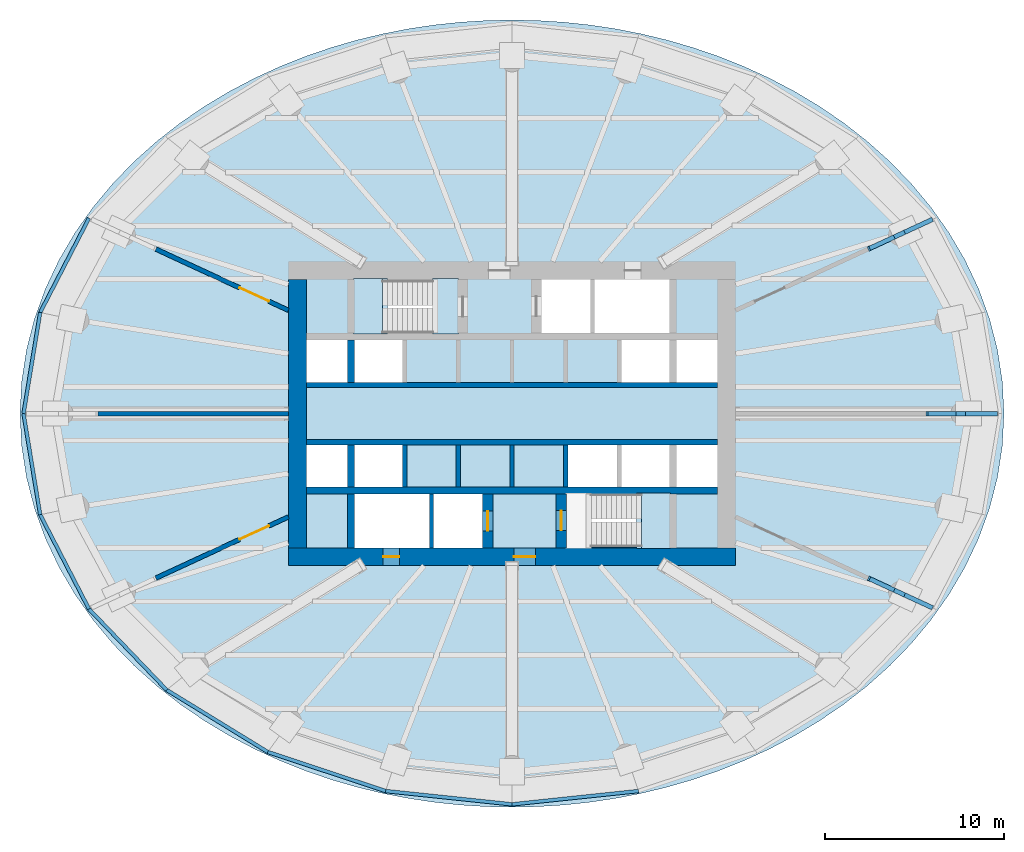
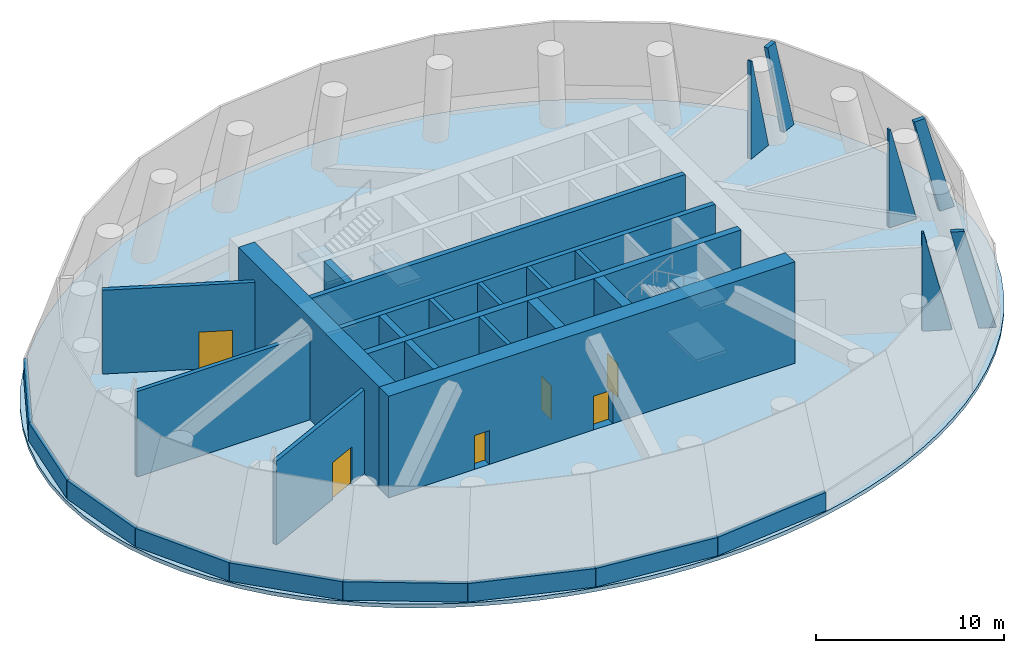
# One storey, part 4 of 7: 27 walls, 6 doors, 6 plates, 6 slabs, 6 openings, 2 elements without a shape of their own.
"""IFC4 building model written with IfcOpenShell, lengths in metres."""

from ifc_helpers import new_model, si_unit, direction, frame, frame_2d, origin, place, context, subcontext, project, spatial, polyline, rectangle, outline, extrude, material, layer, layer_set, type_object, element, fill, aggregate, save


model = new_model("IFC4")

# Units and contexts
model_context = context("Model", 3, precision=1e-05, world=origin(), true_north=direction((0.0, 1.0)))
body_context = subcontext(model_context, "Body", "Model", "MODEL_VIEW")
ifc_project = project(units=[si_unit("LENGTHUNIT", "METRE"), si_unit("AREAUNIT", "SQUARE_METRE"), si_unit("VOLUMEUNIT", "CUBIC_METRE"), si_unit("PLANEANGLEUNIT", "RADIAN"), si_unit("MASSUNIT", "GRAM", prefix="KILO")], contexts=[model_context])

# Site, building, storey
site_placement = place(None, origin())
site = spatial("IfcSite", under=ifc_project, at=site_placement, CompositionType="ELEMENT")
building_placement = place(site_placement, origin())
building = spatial("IfcBuilding", under=site, at=building_placement, Name="Hankou Lantern Tower", CompositionType="ELEMENT")
storey_placement = place(building_placement, frame((0.0, 0.0, 93.60009765625)))
storey = spatial("IfcBuildingStorey", under=building, at=storey_placement, Name="L24", CompositionType="ELEMENT", Elevation=93.60009765625)

# Plates
ifc_material_1 = material(Name="Fire-rated calcium silicate board on steel studs", Category="steel")
ifc_layer_1 = layer(ifc_material_1, 0.25)
ifc_layer_set_1 = layer_set([ifc_layer_1], Name="Fire-rated calcium silicate board on steel studs")
plate_type = type_object("IfcPlateType", Name="FC1 FIRE CLOSURE PANEL", PredefinedType="USERDEFINED", material=ifc_layer_set_1)
plate_1_placement = place(storey_placement, frame((19.9580078125, 9.08056640625, 0.0), z_axis=(0.419339029351, -0.907829707835, 5.866847e-06), x_axis=(0.907829707851, 0.419339029358, -1.36e-10)))
element("IfcPlate", 1, at=plate_1_placement, inside=storey, type_object=plate_type, Name="Fire closure panel R03 inner L24", ObjectType="FIRE CLOSURE", PredefinedType="USERDEFINED", context=body_context, shape_type="SweptSolid", body=[
    extrude(outline(polyline([(0.0, 0.0), (1.6087087525590058, 0.0), (0.1000583400479941, 6.349853515747874), (-8.626994968842253e-10, 6.3498535155157185), (0.0, 0.0)])), origin(), (0.0, 0.0, -1.0), 0.25),
])
plate_2_placement = place(storey_placement, frame((22.724609375, 10.3583984375, 0.0), z_axis=(0.419324643638, -0.907836352672, 2.094628e-06), x_axis=(0.907836352674, 0.419324643639, -1.48e-10)))
element("IfcPlate", 2, at=plate_2_placement, inside=storey, type_object=plate_type, Name="Fire closure panel R03 outer L24", ObjectType="FIRE CLOSURE", PredefinedType="USERDEFINED", context=body_context, shape_type="SweptSolid", body=[
    extrude(outline(polyline([(0.0, 0.0), (0.9188894298707321, -1.0587911840678754e-22), (-0.8005859889583021, 6.349853515520174), (-1.5084287738469382, 6.349853515278868), (0.0, 0.0)])), origin(), (0.0, 0.0, -1.0), 0.25),
])
plate_3_placement = place(storey_placement, frame((19.9580078125, -9.08056640625, 0.0), z_axis=(0.419339029351, 0.907829707835, 5.866847e-06), x_axis=(0.907829707851, -0.419339029358, -1.36e-10)))
element("IfcPlate", 3, at=plate_3_placement, inside=storey, type_object=plate_type, Name="Fire closure panel R23 inner L24", ObjectType="FIRE CLOSURE", PredefinedType="USERDEFINED", context=body_context, shape_type="SweptSolid", body=[
    extrude(outline(polyline([(0.0, 0.0), (1.6087087525590058, 0.0), (0.1000583400479941, -6.349853515747874), (-8.626994968842253e-10, -6.3498535155157185), (0.0, 0.0)])), origin(), (0.0, 0.0, -1.0), 0.25),
])
plate_4_placement = place(storey_placement, frame((22.724609375, -10.3583984375, 0.0), z_axis=(0.419324643638, 0.907836352672, 2.094628e-06), x_axis=(0.907836352674, -0.419324643639, -1.48e-10)))
element("IfcPlate", 4, at=plate_4_placement, inside=storey, type_object=plate_type, Name="Fire closure panel R23 outer L24", ObjectType="FIRE CLOSURE", PredefinedType="USERDEFINED", context=body_context, shape_type="SweptSolid", body=[
    extrude(outline(polyline([(0.0, 0.0), (0.9188894298707321, 1.0587911840678754e-22), (-0.8005859889583021, -6.349853515520174), (-1.5084287738469382, -6.349853515278868), (0.0, 0.0)])), origin(), (0.0, 0.0, -1.0), 0.25),
])
plate_5_placement = place(storey_placement, frame((23.140869140625, 0.125, 0.0), z_axis=(0.0, 1.0, 0.0), x_axis=(1.0, 0.0, 0.0)))
element("IfcPlate", 5, at=plate_5_placement, inside=storey, type_object=plate_type, Name="Fire closure panel R01 inner L24", ObjectType="FIRE CLOSURE", PredefinedType="USERDEFINED", context=body_context, shape_type="SweptSolid", body=[
    extrude(outline(polyline([(0.0, 0.0), (1.6875, 0.0), (0.10009765625, -6.349853515625), (0.0, -6.349853515625), (0.0, 0.0)])), origin(), (0.0, 0.0, -1.0), 0.25),
])
plate_6_placement = place(storey_placement, frame((26.271484375, 0.125, 0.0), z_axis=(0.0, 1.0, 0.0), x_axis=(1.0, 0.0, 0.0)))
element("IfcPlate", 6, at=plate_6_placement, inside=storey, type_object=plate_type, Name="Fire closure panel R01 outer L24", ObjectType="FIRE CLOSURE", PredefinedType="USERDEFINED", context=body_context, shape_type="SweptSolid", body=[
    extrude(outline(polyline([(0.0, 0.0), (0.87841796875, 0.0), (-0.92138671875, -6.349853515625), (-1.58740234375, -6.349853515625), (0.0, 0.0)])), origin(), (0.0, 0.0, -1.0), 0.25),
])

# Slab
ifc_material_2 = material(Name="Concrete C50", Category="concrete")
ifc_layer_2 = layer(ifc_material_2, 0.25)
ifc_layer_set_2 = layer_set([ifc_layer_2], Name="Concrete C50")
slab_type_1 = type_object("IfcSlabType", Name="S2 HEAVY FLOOR SLAB 250", PredefinedType="FLOOR", material=ifc_layer_set_2)
slab_1_placement = place(storey_placement, frame((0.0, 0.0, -0.25)))
element("IfcSlab", 7, at=slab_1_placement, inside=storey, type_object=slab_type_1, Name="Floor slab L24", PredefinedType="FLOOR", context=body_context, shape_type="SweptSolid", body=[
    extrude(outline(polyline([(27.5, 0.0), (27.408203125, 1.79638671875), (27.135009765625, 3.572509765625), (26.6875, 5.308349609375), (26.076171875, 6.987060546875), (25.3154296875, 8.593505859375), (24.420654296875, 10.115478515625), (23.40966796875, 11.54443359375), (22.29931640625, 12.87451171875), (21.1064453125, 14.102783203125), (19.846435546875, 15.228759765625), (18.533447265625, 16.25341796875), (17.17919921875, 17.17919921875), (15.794189453125, 18.009765625), (14.38671875, 18.749267578125), (12.964111328125, 19.402099609375), (11.53125, 19.972412109375), (10.09228515625, 20.46484375), (8.650146484375, 20.88330078125), (7.20703125, 21.23095703125), (5.763916015625, 21.51123046875), (4.32177734375, 21.7265625), (2.88037109375, 21.87890625), (1.43994140625, 21.9697265625), (0.0, 22.0), (-1.43994140625, 21.9697265625), (-2.88037109375, 21.87890625), (-4.32177734375, 21.7265625), (-5.763916015625, 21.51123046875), (-7.20703125, 21.23095703125), (-8.650146484375, 20.88330078125), (-10.09228515625, 20.46484375), (-11.53125, 19.972412109375), (-12.964111328125, 19.402099609375), (-14.38671875, 18.749267578125), (-15.794189453125, 18.009765625), (-17.17919921875, 17.17919921875), (-18.533447265625, 16.25341796875), (-19.846435546875, 15.228759765625), (-21.1064453125, 14.102783203125), (-22.29931640625, 12.87451171875), (-23.40966796875, 11.54443359375), (-24.420654296875, 10.115478515625), (-25.3154296875, 8.593505859375), (-26.076171875, 6.987060546875), (-26.6875, 5.308349609375), (-27.135009765625, 3.572509765625), (-27.408203125, 1.79638671875), (-27.5, 0.0), (-27.408203125, -1.79638671875), (-27.135009765625, -3.572509765625), (-26.6875, -5.308349609375), (-26.076171875, -6.987060546875), (-25.3154296875, -8.593505859375), (-24.420654296875, -10.115478515625), (-23.40966796875, -11.54443359375), (-22.29931640625, -12.87451171875), (-21.1064453125, -14.102783203125), (-19.846435546875, -15.228759765625), (-18.533447265625, -16.25341796875), (-17.17919921875, -17.17919921875), (-15.794189453125, -18.009765625), (-14.38671875, -18.749267578125), (-12.964111328125, -19.402099609375), (-11.53125, -19.972412109375), (-10.09228515625, -20.46484375), (-8.650146484375, -20.88330078125), (-7.20703125, -21.23095703125), (-5.763916015625, -21.51123046875), (-4.32177734375, -21.7265625), (-2.88037109375, -21.87890625), (-1.43994140625, -21.9697265625), (0.0, -22.0), (1.43994140625, -21.9697265625), (2.88037109375, -21.87890625), (4.32177734375, -21.7265625), (5.763916015625, -21.51123046875), (7.20703125, -21.23095703125), (8.650146484375, -20.88330078125), (10.09228515625, -20.46484375), (11.53125, -19.972412109375), (12.964111328125, -19.402099609375), (14.38671875, -18.749267578125), (15.794189453125, -18.009765625), (17.17919921875, -17.17919921875), (18.533447265625, -16.25341796875), (19.846435546875, -15.228759765625), (21.1064453125, -14.102783203125), (22.29931640625, -12.87451171875), (23.40966796875, -11.54443359375), (24.420654296875, -10.115478515625), (25.3154296875, -8.593505859375), (26.076171875, -6.987060546875), (26.6875, -5.308349609375), (27.135009765625, -3.572509765625), (27.408203125, -1.79638671875), (27.5, 0.0)]), holes=[polyline([(-11.5, 4.10009765625), (-9.199951171875, 4.10009765625), (-9.199951171875, 1.75), (-11.5, 1.75), (-11.5, 4.10009765625)]), polyline([(-8.800048828125, 4.10009765625), (-6.125, 4.10009765625), (-6.125, 1.75), (-8.800048828125, 1.75), (-8.800048828125, 4.10009765625)]), polyline([(6.125, 4.10009765625), (8.800048828125, 4.10009765625), (8.800048828125, 1.75), (6.125, 1.75), (6.125, 4.10009765625)]), polyline([(9.199951171875, 4.10009765625), (11.5, 4.10009765625), (11.5, 1.75), (9.199951171875, 1.75), (9.199951171875, 4.10009765625)]), polyline([(-11.5, -1.75), (-9.199951171875, -1.75), (-9.199951171875, -4.10009765625), (-11.5, -4.10009765625), (-11.5, -1.75)]), polyline([(-8.800048828125, -1.75), (-6.125, -1.75), (-6.125, -4.10009765625), (-8.800048828125, -4.10009765625), (-8.800048828125, -1.75)]), polyline([(3.125, -1.75), (5.875, -1.75), (5.875, -4.10009765625), (3.125, -4.10009765625), (3.125, -1.75)]), polyline([(6.125, -1.75), (8.800048828125, -1.75), (8.800048828125, -4.10009765625), (6.125, -4.10009765625), (6.125, -1.75)]), polyline([(9.199951171875, -1.75), (11.5, -1.75), (11.5, -4.10009765625), (9.199951171875, -4.10009765625), (9.199951171875, -1.75)]), polyline([(1.64990234375, 7.5), (4.375, 7.5), (4.375, 4.5), (1.64990234375, 4.5), (1.64990234375, 7.5)]), polyline([(-4.375, -4.5), (-1.64990234375, -4.5), (-1.64990234375, -7.5), (-4.375, -7.5), (-4.375, -4.5)]), polyline([(-8.699951171875, 7.449951171875), (-4.449951171875, 7.449951171875), (-4.449951171875, 4.5), (-8.699951171875, 4.5), (-8.699951171875, 7.449951171875)]), polyline([(4.449951171875, -4.5), (8.699951171875, -4.5), (8.699951171875, -7.449951171875), (4.449951171875, -7.449951171875), (4.449951171875, -4.5)]), polyline([(4.625, 7.5), (8.800048828125, 7.5), (8.800048828125, 4.5), (4.625, 4.5), (4.625, 7.5)]), polyline([(-8.800048828125, -4.5), (-4.625, -4.5), (-4.625, -7.5), (-8.800048828125, -7.5), (-8.800048828125, -4.5)])]), origin(), (0.0, 0.0, 1.0), 0.25),
])

# Stair, slabs
ifc_material_3 = material(Name="Concrete C40", Category="concrete")
stair_type = type_object("IfcStairType", Name="ST66 CORE STAIR 6600 RISE", PredefinedType="HALF_TURN_STAIR", material=ifc_material_3)
stair_1_placement = place(storey_placement, origin())
stair_1 = element("IfcStair", 8, at=stair_1_placement, inside=storey, type_object=stair_type, Name="Stair STA L24", PredefinedType="HALF_TURN_STAIR")
ifc_material_4 = material(Name="Concrete C40", Category="concrete")
ifc_layer_3 = layer(ifc_material_4, 0.199951171875)
ifc_layer_set_3 = layer_set([ifc_layer_3], Name="Concrete C40")
slab_type_2 = type_object("IfcSlabType", Name="SL1 STAIR LANDING 200", PredefinedType="LANDING", material=ifc_layer_set_3)
slab_2_placement = place(storey_placement, frame((0.0, 0.0, 1.371337890625)))
slab_2 = element("IfcSlab", 9, at=slab_2_placement, type_object=slab_type_2, Name="STA landing 1", PredefinedType="LANDING", context=body_context, shape_type="SweptSolid", body=[
    extrude(outline(polyline([(-8.85009765625, 4.449951171875), (-6.949951171875, 4.449951171875), (-6.949951171875, 7.550048828125), (-8.85009765625, 7.550048828125), (-8.85009765625, 4.449951171875)])), origin(), (0.0, 0.0, 1.0), 0.199951171875),
])
slab_3_placement = place(storey_placement, frame((0.0, 0.0, 2.94287109375)))
slab_3 = element("IfcSlab", 10, at=slab_3_placement, type_object=slab_type_2, Name="STA landing 2", PredefinedType="LANDING", context=body_context, shape_type="SweptSolid", body=[
    extrude(outline(polyline([(-4.449951171875, 4.449951171875), (-3.0, 4.449951171875), (-3.0, 7.550048828125), (-4.449951171875, 7.550048828125), (-4.449951171875, 4.449951171875)])), origin(), (0.0, 0.0, 1.0), 0.199951171875),
])
slab_4_placement = place(storey_placement, frame((0.0, 0.0, 4.67138671875)))
slab_4 = element("IfcSlab", 11, at=slab_4_placement, type_object=slab_type_2, Name="STA landing 3", PredefinedType="LANDING", context=body_context, shape_type="SweptSolid", body=[
    extrude(outline(polyline([(-8.85009765625, 4.449951171875), (-7.22998046875, 4.449951171875), (-7.22998046875, 7.550048828125), (-8.85009765625, 7.550048828125), (-8.85009765625, 4.449951171875)])), origin(), (0.0, 0.0, 1.0), 0.199951171875),
])
aggregate(stair_1, [slab_2, slab_3, slab_4])

stair_2_placement = place(storey_placement, origin())
stair_2 = element("IfcStair", 12, at=stair_2_placement, inside=storey, type_object=stair_type, Name="Stair STB L24", PredefinedType="HALF_TURN_STAIR")
slab_5_placement = place(storey_placement, frame((0.0, 0.0, 1.371337890625)))
slab_5 = element("IfcSlab", 13, at=slab_5_placement, type_object=slab_type_2, Name="STB landing 1", PredefinedType="LANDING", context=body_context, shape_type="SweptSolid", body=[
    extrude(outline(polyline([(8.85009765625, -4.449951171875), (6.949951171875, -4.449951171875), (6.949951171875, -7.550048828125), (8.85009765625, -7.550048828125), (8.85009765625, -4.449951171875)])), origin(), (0.0, 0.0, 1.0), 0.199951171875),
])
slab_6_placement = place(storey_placement, frame((0.0, 0.0, 4.67138671875)))
slab_6 = element("IfcSlab", 14, at=slab_6_placement, type_object=slab_type_2, Name="STB landing 3", PredefinedType="LANDING", context=body_context, shape_type="SweptSolid", body=[
    extrude(outline(polyline([(8.85009765625, -4.449951171875), (7.22998046875, -4.449951171875), (7.22998046875, -7.550048828125), (8.85009765625, -7.550048828125), (8.85009765625, -4.449951171875)])), origin(), (0.0, 0.0, 1.0), 0.199951171875),
])
aggregate(stair_2, [slab_5, slab_6])

# Wall, openings, doors
ifc_material_5 = material(Name="Concrete C60", Category="concrete")
ifc_layer_4 = layer(ifc_material_5, 1.0)
ifc_layer_set_4 = layer_set([ifc_layer_4], Name="Concrete C60")
wall_type_1 = type_object("IfcWallType", Name="CW1 CORE WALL 1000", PredefinedType="SHEAR", material=ifc_layer_set_4)
wall_1_placement = place(storey_placement, frame((12.5, -8.0, 0.0), z_axis=(0.0, 0.0, 1.0), x_axis=(-1.0, 0.0, 0.0)))
wall_1 = element("IfcWall", 15, at=wall_1_placement, inside=storey, type_object=wall_type_1, Name="Core wall south L24", PredefinedType="SHEAR", context=body_context, shape_type="SweptSolid", body=[
    extrude(rectangle(XDim=25.0, YDim=1.0, at=frame_2d((12.5, 0.0))), origin(), (0.0, 0.0, 1.0), 6.599853515625),
])
opening_1_placement = place(wall_1_placement, frame((11.199951171875, 0.0, 0.0)))
opening_1 = element("IfcOpeningElement", 16, at=opening_1_placement, cuts=wall_1, Name="Opening D5", PredefinedType="OPENING", context=body_context, shape_type="SweptSolid", body=[
    extrude(rectangle(XDim=1.199951171875, YDim=2.199951171875, at=frame_2d((0.60009765625, 1.10009765625))), frame((0.0, 0.510009765625, 0.0), z_axis=(0.0, -1.0, 0.0), x_axis=(1.0, 0.0, 0.0)), (0.0, 0.0, 1.0), 1.02001953125),
])
opening_2_placement = place(wall_1_placement, frame((18.800048828125, 0.0, 0.0)))
opening_2 = element("IfcOpeningElement", 17, at=opening_2_placement, cuts=wall_1, Name="Opening D7", PredefinedType="OPENING", context=body_context, shape_type="SweptSolid", body=[
    extrude(rectangle(XDim=0.89990234375, YDim=2.199951171875, at=frame_2d((0.449951171875, 1.10009765625))), frame((0.0, 0.510009765625, 0.0), z_axis=(0.0, -1.0, 0.0), x_axis=(1.0, 0.0, 0.0)), (0.0, 0.0, 1.0), 1.02001953125),
])
ifc_material_6 = material(Name="Steel door leaf", Category="steel")
door_type_1 = type_object("IfcDoorType", Name="D5 STAIR LOBBY DOOR 1200X2200", OperationType="SINGLE_SWING_LEFT", PredefinedType="DOOR", material=ifc_material_6)
door_1_placement = place(opening_1_placement, origin())
door_1 = element("IfcDoor", 18, at=door_1_placement, inside=storey, type_object=door_type_1, Name="Stair B lobby door", OperationType="SINGLE_SWING_LEFT", OverallHeight=2.199951171875, OverallWidth=1.199951171875, PredefinedType="DOOR", context=body_context, shape_type="SweptSolid", body=[
    extrude(rectangle(XDim=1.199951171875, YDim=2.199951171875, at=frame_2d((0.60009765625, 1.10009765625))), frame((0.0, 0.02490234375, 0.0), z_axis=(0.0, -1.0, 0.0), x_axis=(1.0, 0.0, 0.0)), (0.0, 0.0, 1.0), 0.050048828125),
])
fill(opening_1, door_1)
ifc_material_7 = material(Name="Steel door leaf", Category="steel")
door_type_2 = type_object("IfcDoorType", Name="D7 RISER DOOR 900X2200", OperationType="SINGLE_SWING_LEFT", PredefinedType="DOOR", material=ifc_material_7)
door_2_placement = place(opening_2_placement, origin())
door_2 = element("IfcDoor", 19, at=door_2_placement, inside=storey, type_object=door_type_2, Name="Riser S1 door", OperationType="SINGLE_SWING_RIGHT", OverallHeight=2.199951171875, OverallWidth=0.89990234375, PredefinedType="DOOR", context=body_context, shape_type="SweptSolid", body=[
    extrude(rectangle(XDim=0.89990234375, YDim=2.199951171875, at=frame_2d((0.449951171875, 1.10009765625))), frame((0.0, 0.02490234375, 0.0), z_axis=(0.0, -1.0, 0.0), x_axis=(1.0, 0.0, 0.0)), (0.0, 0.0, 1.0), 0.050048828125),
])
fill(opening_2, door_2)

# Walls
wall_2_placement = place(storey_placement, frame((-12.0, 7.5, 0.0), z_axis=(0.0, 0.0, 1.0), x_axis=(0.0, -1.0, 0.0)))
element("IfcWall", 20, at=wall_2_placement, inside=storey, type_object=wall_type_1, Name="Core wall west L24", PredefinedType="SHEAR", context=body_context, shape_type="SweptSolid", body=[
    extrude(rectangle(XDim=15.0, YDim=1.0, at=frame_2d((7.5, 0.0))), origin(), (0.0, 0.0, 1.0), 6.599853515625),
])
ifc_material_8 = material(Name="Concrete C60", Category="concrete")
ifc_layer_5 = layer(ifc_material_8, 0.39990234375)
ifc_layer_set_5 = layer_set([ifc_layer_5], Name="Concrete C60")
wall_type_2 = type_object("IfcWallType", Name="CW4 CORE CROSS WALL 400", PredefinedType="SHEAR", material=ifc_layer_set_5)
wall_3_placement = place(storey_placement, frame((-11.5, -4.300048828125, 0.0), z_axis=(0.0, 0.0, 1.0), x_axis=(1.0, 0.0, 0.0)))
element("IfcWall", 21, at=wall_3_placement, inside=storey, type_object=wall_type_2, Name="Core band wall south L24", PredefinedType="SHEAR", context=body_context, shape_type="SweptSolid", body=[
    extrude(rectangle(XDim=23.0, YDim=0.39990234375, at=frame_2d((11.5, 0.0))), origin(), (0.0, 0.0, 1.0), 6.599853515625),
])
for number, where, z_axis, x_axis, name in (
    (22, (-9.0, 1.75, 0.0), (0.0, 0.0, 1.0), (0.0, 1.0, 0.0), "Core strip wall L24"),
    (23, (-9.0, -4.10009765625, 0.0), (0.0, 0.0, 1.0), (0.0, 1.0, 0.0), "Core strip wall L24"),
):
    element("IfcWall", number, at=place(storey_placement, frame(where, z_axis=z_axis, x_axis=x_axis)), inside=storey, type_object=wall_type_2, Name=name, PredefinedType="SHEAR", context=body_context, shape_type="SweptSolid", body=[
        extrude(rectangle(XDim=2.35009765625, YDim=0.39990234375, at=frame_2d((1.175048828125, 0.0))), origin(), (0.0, 0.0, 1.0), 6.599853515625),
    ])
wall_4_placement = place(storey_placement, frame((-9.0, -7.5, 0.0), z_axis=(0.0, 0.0, 1.0), x_axis=(0.0, 1.0, 0.0)))
element("IfcWall", 24, at=wall_4_placement, inside=storey, type_object=wall_type_2, Name="Core strip wall L24", PredefinedType="SHEAR", context=body_context, shape_type="SweptSolid", body=[
    extrude(rectangle(XDim=3.0, YDim=0.39990234375, at=frame_2d((1.5, 0.0))), origin(), (0.0, 0.0, 1.0), 6.599853515625),
])
ifc_material_9 = material(Name="Concrete C60", Category="concrete")
ifc_layer_6 = layer(ifc_material_9, 0.300048828125)
ifc_layer_set_6 = layer_set([ifc_layer_6], Name="Concrete C60")
wall_type_3 = type_object("IfcWallType", Name="CW5 LIFT LOBBY WALL 300", PredefinedType="SHEAR", material=ifc_layer_set_6)
for number, where, z_axis, x_axis, name in (
    (25, (-11.5, 1.60009765625, 0.0), (0.0, 0.0, 1.0), (1.0, 0.0, 0.0), "Lift lobby wall north L24"),
    (26, (-11.5, -1.60009765625, 0.0), (0.0, 0.0, 1.0), (1.0, 0.0, 0.0), "Lift lobby wall south L24"),
):
    element("IfcWall", number, at=place(storey_placement, frame(where, z_axis=z_axis, x_axis=x_axis)), inside=storey, type_object=wall_type_3, Name=name, PredefinedType="SHEAR", context=body_context, shape_type="SweptSolid", body=[
        extrude(rectangle(XDim=23.0, YDim=0.300048828125, at=frame_2d((11.5, 0.0))), origin(), (0.0, 0.0, 1.0), 6.599853515625),
    ])

# Wall, opening, door
ifc_material_10 = material(Name="Concrete C60", Category="concrete")
ifc_layer_7 = layer(ifc_material_10, 0.60009765625)
ifc_layer_set_7 = layer_set([ifc_layer_7], Name="Concrete C60")
wall_type_4 = type_object("IfcWallType", Name="CW6 STAIR AND SHAFT WALL 600", PredefinedType="SHEAR", material=ifc_layer_set_7)
wall_5_placement = place(storey_placement, frame((2.75, -7.5, 0.0), z_axis=(0.0, 0.0, 1.0), x_axis=(0.0, 1.0, 0.0)))
wall_5 = element("IfcWall", 27, at=wall_5_placement, inside=storey, type_object=wall_type_4, Name="Stair wall L24", PredefinedType="SHEAR", context=body_context, shape_type="SweptSolid", body=[
    extrude(rectangle(XDim=3.0, YDim=0.60009765625, at=frame_2d((1.5, 0.0))), origin(), (0.0, 0.0, 1.0), 6.599853515625),
])
opening_3_placement = place(wall_5_placement, frame((0.97509765625, 0.0, 0.0)))
opening_3 = element("IfcOpeningElement", 28, at=opening_3_placement, cuts=wall_5, Name="Opening D4", PredefinedType="OPENING", context=body_context, shape_type="SweptSolid", body=[
    extrude(rectangle(XDim=1.10009765625, YDim=2.199951171875, at=frame_2d((0.550048828125, 1.10009765625))), frame((0.0, 0.31005859375, 0.0), z_axis=(0.0, -1.0, 0.0), x_axis=(1.0, 0.0, 0.0)), (0.0, 0.0, 1.0), 0.6201171875),
])
ifc_material_11 = material(Name="Steel door leaf", Category="steel")
door_type_3 = type_object("IfcDoorType", Name="D4 STAIR DOOR 1100X2200", OperationType="SINGLE_SWING_LEFT", PredefinedType="DOOR", material=ifc_material_11)
door_3_placement = place(opening_3_placement, origin())
door_3 = element("IfcDoor", 29, at=door_3_placement, inside=storey, type_object=door_type_3, Name="Stair B door", OperationType="SINGLE_SWING_RIGHT", OverallHeight=2.199951171875, OverallWidth=1.10009765625, PredefinedType="DOOR", context=body_context, shape_type="SweptSolid", body=[
    extrude(rectangle(XDim=1.10009765625, YDim=2.199951171875, at=frame_2d((0.550048828125, 1.10009765625))), frame((0.0, 0.02490234375, 0.0), z_axis=(0.0, -1.0, 0.0), x_axis=(1.0, 0.0, 0.0)), (0.0, 0.0, 1.0), 0.050048828125),
])
fill(opening_3, door_3)

wall_6_placement = place(storey_placement, frame((-1.35009765625, -7.5, 0.0), z_axis=(0.0, 0.0, 1.0), x_axis=(0.0, 1.0, 0.0)))
wall_6 = element("IfcWall", 30, at=wall_6_placement, inside=storey, type_object=wall_type_4, Name="Firefighting lift shaft wall L24", PredefinedType="SHEAR", context=body_context, shape_type="SweptSolid", body=[
    extrude(rectangle(XDim=3.0, YDim=0.60009765625, at=frame_2d((1.5, 0.0))), origin(), (0.0, 0.0, 1.0), 6.599853515625),
])
opening_4_placement = place(wall_6_placement, frame((0.949951171875, 0.0, 0.0)))
opening_4 = element("IfcOpeningElement", 31, at=opening_4_placement, cuts=wall_6, Name="Opening LD2", PredefinedType="OPENING", context=body_context, shape_type="SweptSolid", body=[
    extrude(rectangle(XDim=1.10009765625, YDim=2.199951171875, at=frame_2d((0.550048828125, 1.10009765625))), frame((0.0, 0.31005859375, 0.0), z_axis=(0.0, -1.0, 0.0), x_axis=(1.0, 0.0, 0.0)), (0.0, 0.0, 1.0), 0.6201171875),
])
ifc_material_12 = material(Name="Steel door leaf", Category="steel")
door_type_4 = type_object("IfcDoorType", Name="LD2 FIREFIGHTING LIFT LANDING DOOR 1100X2200", OperationType="DOUBLE_DOOR_SLIDING", PredefinedType="DOOR", material=ifc_material_12)
door_4_placement = place(opening_4_placement, origin())
door_4 = element("IfcDoor", 32, at=door_4_placement, inside=storey, type_object=door_type_4, Name="Firefighting lift FL2 landing door", OperationType="DOUBLE_DOOR_SLIDING", OverallHeight=2.199951171875, OverallWidth=1.10009765625, PredefinedType="DOOR", context=body_context, shape_type="SweptSolid", body=[
    extrude(rectangle(XDim=1.10009765625, YDim=2.199951171875, at=frame_2d((0.550048828125, 1.10009765625))), frame((0.0, 0.02490234375, 0.0), z_axis=(0.0, -1.0, 0.0), x_axis=(1.0, 0.0, 0.0)), (0.0, 0.0, 1.0), 0.050048828125),
])
fill(opening_4, door_4)

# Walls
ifc_material_13 = material(Name="Precast concrete C40 spandrel", Category="concrete")
ifc_layer_8 = layer(ifc_material_13, 0.199951171875)
ifc_layer_set_8 = layer_set([ifc_layer_8], Name="Precast concrete C40 spandrel")
wall_type_5 = type_object("IfcWallType", Name="EW3 SPANDREL WALL 200", PredefinedType="PARAPET", material=ifc_layer_set_8)
wall_7_placement = place(storey_placement, frame((-23.642578125, 10.919921875, 0.0), z_axis=(0.0, 0.0, 1.0), x_axis=(-0.459796869206, -0.88802412077, 0.0)))
element("IfcWall", 33, at=wall_7_placement, inside=storey, type_object=wall_type_5, Name="Spandrel wall R11 L24", PredefinedType="PARAPET", context=body_context, shape_type="SweptSolid", body=[
    extrude(rectangle(XDim=5.931640625, YDim=0.199951171875, at=frame_2d((2.9658203125, 0.0))), origin(), (0.0, 0.0, 1.0), 1.199951171875),
])
for number, where, z_axis, x_axis, name in (
    (34, (-26.369873046875, 5.652587890625, 0.0), (0.0, 0.0, 1.0), (-0.162373720697, -0.9867293321, 0.0), "Spandrel wall R12 L24"),
    (35, (-27.300048828125, 0.0, 0.0), (0.0, 0.0, 1.0), (0.162373720697, -0.9867293321, 0.0), "Spandrel wall R13 L24"),
):
    element("IfcWall", number, at=place(storey_placement, frame(where, z_axis=z_axis, x_axis=x_axis)), inside=storey, type_object=wall_type_5, Name=name, PredefinedType="PARAPET", context=body_context, shape_type="SweptSolid", body=[
        extrude(rectangle(XDim=5.728515625, YDim=0.199951171875, at=frame_2d((2.8642578125, 0.0))), origin(), (0.0, 0.0, 1.0), 1.199951171875),
    ])
wall_8_placement = place(storey_placement, frame((-26.369873046875, -5.652587890625, 0.0), z_axis=(0.0, 0.0, 1.0), x_axis=(0.459796869206, -0.88802412077, 0.0)))
element("IfcWall", 36, at=wall_8_placement, inside=storey, type_object=wall_type_5, Name="Spandrel wall R14 L24", PredefinedType="PARAPET", context=body_context, shape_type="SweptSolid", body=[
    extrude(rectangle(XDim=5.931640625, YDim=0.199951171875, at=frame_2d((2.9658203125, 0.0))), origin(), (0.0, 0.0, 1.0), 1.199951171875),
])
wall_9_placement = place(storey_placement, frame((-23.642578125, -10.919921875, 0.0), z_axis=(0.0, 0.0, 1.0), x_axis=(0.692229324032, -0.721677603193, 0.0)))
element("IfcWall", 37, at=wall_9_placement, inside=storey, type_object=wall_type_5, Name="Spandrel wall R15 L24", PredefinedType="PARAPET", context=body_context, shape_type="SweptSolid", body=[
    extrude(rectangle(XDim=6.267578125, YDim=0.199951171875, at=frame_2d((3.1337890625, 0.0))), origin(), (0.0, 0.0, 1.0), 1.199951171875),
])
wall_10_placement = place(storey_placement, frame((-19.303955078125, -15.443115234375, 0.0), z_axis=(0.0, 0.0, 1.0), x_axis=(0.852227644775, -0.523171139763, 0.0)))
element("IfcWall", 38, at=wall_10_placement, inside=storey, type_object=wall_type_5, Name="Spandrel wall R16 L24", PredefinedType="PARAPET", context=body_context, shape_type="SweptSolid", body=[
    extrude(rectangle(XDim=6.634521484375, YDim=0.199951171875, at=frame_2d((3.3173828125, 0.0))), origin(), (0.0, 0.0, 1.0), 1.199951171875),
])
wall_11_placement = place(storey_placement, frame((-13.64990234375, -18.9140625, 0.0), z_axis=(0.0, 0.0, 1.0), x_axis=(0.94924845877, -0.314527206332, 0.0)))
element("IfcWall", 39, at=wall_11_placement, inside=storey, type_object=wall_type_5, Name="Spandrel wall R17 L24", PredefinedType="PARAPET", context=body_context, shape_type="SweptSolid", body=[
    extrude(rectangle(XDim=6.936279296875, YDim=0.199951171875, at=frame_2d((3.46826171875, 0.0))), origin(), (0.0, 0.0, 1.0), 1.199951171875),
])
for number, where, z_axis, x_axis, name in (
    (40, (-7.065673828125, -21.095703125, 0.0), (0.0, 0.0, 1.0), (0.99449622286, -0.104772433002, 0.0), "Spandrel wall R18 L24"),
    (41, (0.0, -21.840087890625, 0.0), (0.0, 0.0, 1.0), (0.99449622286, 0.104772433002, 0.0), "Spandrel wall R19 L24"),
):
    element("IfcWall", number, at=place(storey_placement, frame(where, z_axis=z_axis, x_axis=x_axis)), inside=storey, type_object=wall_type_5, Name=name, PredefinedType="PARAPET", context=body_context, shape_type="SweptSolid", body=[
        extrude(rectangle(XDim=7.104736328125, YDim=0.199951171875, at=frame_2d((3.55224609375, 0.0))), origin(), (0.0, 0.0, 1.0), 1.199951171875),
    ])

# Wall, opening, door
ifc_material_14 = material(Name="Masonry dense concrete block", Category="masonry")
ifc_layer_9 = layer(ifc_material_14, 0.25)
ifc_layer_set_9 = layer_set([ifc_layer_9], Name="Masonry dense concrete block")
wall_type_6 = type_object("IfcWallType", Name="IW5 PLANT ROOM FIRE WALL 250", PredefinedType="PARTITIONING", material=ifc_layer_set_9)
wall_12_placement = place(storey_placement, frame((-12.5, 5.7734375, 0.0), z_axis=(0.0, 0.0, 1.0), x_axis=(-0.907832327602, 0.419333357796, 0.0)))
wall_12 = element("IfcWall", 42, at=wall_12_placement, inside=storey, type_object=wall_type_6, Name="Plant room fire wall R11", PredefinedType="PARTITIONING", context=body_context, shape_type="SweptSolid", body=[
    extrude(rectangle(XDim=8.157470703125, YDim=0.25, at=frame_2d((4.07861328125, 0.0))), origin(), (0.0, 0.0, 1.0), 5.449951171875),
])
opening_5_placement = place(wall_12_placement, frame((1.199951171875, 0.0, 0.0)))
opening_5 = element("IfcOpeningElement", 43, at=opening_5_placement, cuts=wall_12, Name="Opening D9", PredefinedType="OPENING", context=body_context, shape_type="SweptSolid", body=[
    extrude(rectangle(XDim=1.800048828125, YDim=2.39990234375, at=frame_2d((0.89990234375, 1.199951171875))), frame((0.0, 0.135009765625, 0.0), z_axis=(0.0, -1.0, 0.0), x_axis=(1.0, 0.0, 0.0)), (0.0, 0.0, 1.0), 0.27001953125),
])
ifc_material_15 = material(Name="Steel door leaf", Category="steel")
door_type_5 = type_object("IfcDoorType", Name="D9 PLANT ROOM DOOR 1800X2400", OperationType="DOUBLE_DOOR_DOUBLE_SWING", PredefinedType="DOOR", material=ifc_material_15)
door_5_placement = place(opening_5_placement, origin())
door_5 = element("IfcDoor", 44, at=door_5_placement, inside=storey, type_object=door_type_5, Name="Plant room door R11", OperationType="DOUBLE_DOOR_DOUBLE_SWING", OverallHeight=2.39990234375, OverallWidth=1.800048828125, PredefinedType="DOOR", context=body_context, shape_type="SweptSolid", body=[
    extrude(rectangle(XDim=1.800048828125, YDim=2.39990234375, at=frame_2d((0.89990234375, 1.199951171875))), frame((0.0, 0.02490234375, 0.0), z_axis=(0.0, -1.0, 0.0), x_axis=(1.0, 0.0, 0.0)), (0.0, 0.0, 1.0), 0.050048828125),
])
fill(opening_5, door_5)

wall_13_placement = place(storey_placement, frame((-12.5, -5.7734375, 0.0), z_axis=(0.0, 0.0, 1.0), x_axis=(-0.907832327602, -0.419333357796, 0.0)))
wall_13 = element("IfcWall", 45, at=wall_13_placement, inside=storey, type_object=wall_type_6, Name="Plant room fire wall R15", PredefinedType="PARTITIONING", context=body_context, shape_type="SweptSolid", body=[
    extrude(rectangle(XDim=8.157470703125, YDim=0.25, at=frame_2d((4.07861328125, 0.0))), origin(), (0.0, 0.0, 1.0), 5.449951171875),
])
opening_6_placement = place(wall_13_placement, frame((1.199951171875, 0.0, 0.0)))
opening_6 = element("IfcOpeningElement", 46, at=opening_6_placement, cuts=wall_13, Name="Opening D9", PredefinedType="OPENING", context=body_context, shape_type="SweptSolid", body=[
    extrude(rectangle(XDim=1.800048828125, YDim=2.39990234375, at=frame_2d((0.89990234375, 1.199951171875))), frame((0.0, 0.135009765625, 0.0), z_axis=(0.0, -1.0, 0.0), x_axis=(1.0, 0.0, 0.0)), (0.0, 0.0, 1.0), 0.27001953125),
])
door_6_placement = place(opening_6_placement, origin())
door_6 = element("IfcDoor", 47, at=door_6_placement, inside=storey, type_object=door_type_5, Name="Plant room door R15", OperationType="DOUBLE_DOOR_DOUBLE_SWING", OverallHeight=2.39990234375, OverallWidth=1.800048828125, PredefinedType="DOOR", context=body_context, shape_type="SweptSolid", body=[
    extrude(rectangle(XDim=1.800048828125, YDim=2.39990234375, at=frame_2d((0.89990234375, 1.199951171875))), frame((0.0, 0.02490234375, 0.0), z_axis=(0.0, -1.0, 0.0), x_axis=(1.0, 0.0, 0.0)), (0.0, 0.0, 1.0), 0.050048828125),
])
fill(opening_6, door_6)

# Walls
wall_14_placement = place(storey_placement, frame((-12.5, 0.0, 0.0), z_axis=(0.0, 0.0, 1.0), x_axis=(-1.0, 0.0, 0.0)))
element("IfcWall", 48, at=wall_14_placement, inside=storey, type_object=wall_type_6, Name="Plant room partition R13", PredefinedType="PARTITIONING", context=body_context, shape_type="SweptSolid", body=[
    extrude(rectangle(XDim=10.640869140625, YDim=0.25, at=frame_2d((5.3203125, 0.0))), origin(), (0.0, 0.0, 1.0), 5.5498046875),
])
ifc_material_16 = material(Name="Masonry autoclaved aerated concrete block", Category="masonry")
ifc_layer_10 = layer(ifc_material_16, 0.25)
ifc_layer_set_10 = layer_set([ifc_layer_10], Name="Masonry autoclaved aerated concrete block")
wall_type_7 = type_object("IfcWallType", Name="SW1 SHAFT BLOCK WALL 250", PredefinedType="PARTITIONING", material=ifc_layer_set_10)
wall_15_placement = place(storey_placement, frame((-4.5, -7.5, 0.0), z_axis=(0.0, 0.0, 1.0), x_axis=(0.0, 1.0, 0.0)))
element("IfcWall", 49, at=wall_15_placement, inside=storey, type_object=wall_type_7, Name="Riser wall L24", PredefinedType="PARTITIONING", context=body_context, shape_type="SweptSolid", body=[
    extrude(rectangle(XDim=3.0, YDim=0.25, at=frame_2d((1.5, 0.0))), origin(), (0.0, 0.0, 1.0), 6.599853515625),
])
for number, where, z_axis, x_axis, name in (
    (50, (-6.0, -4.10009765625, 0.0), (0.0, 0.0, 1.0), (0.0, 1.0, 0.0), "Lift shaft wall L24"),
    (51, (-3.0, -4.10009765625, 0.0), (0.0, 0.0, 1.0), (0.0, 1.0, 0.0), "Lift shaft wall L24"),
    (52, (0.0, -4.10009765625, 0.0), (0.0, 0.0, 1.0), (0.0, 1.0, 0.0), "Lift shaft wall L24"),
    (53, (3.0, -4.10009765625, 0.0), (0.0, 0.0, 1.0), (0.0, 1.0, 0.0), "Lift shaft wall L24"),
):
    element("IfcWall", number, at=place(storey_placement, frame(where, z_axis=z_axis, x_axis=x_axis)), inside=storey, type_object=wall_type_7, Name=name, PredefinedType="PARTITIONING", context=body_context, shape_type="SweptSolid", body=[
        extrude(rectangle(XDim=2.35009765625, YDim=0.25, at=frame_2d((1.175048828125, 0.0))), origin(), (0.0, 0.0, 1.0), 6.599853515625),
    ])

save(model, "model.ifc")
